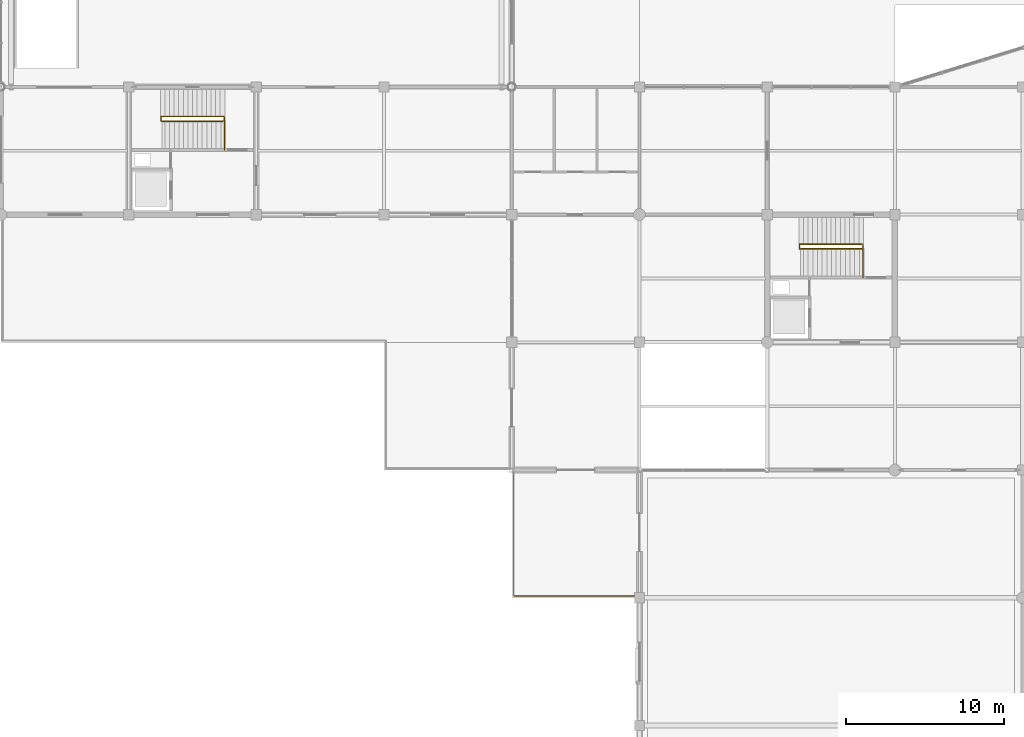
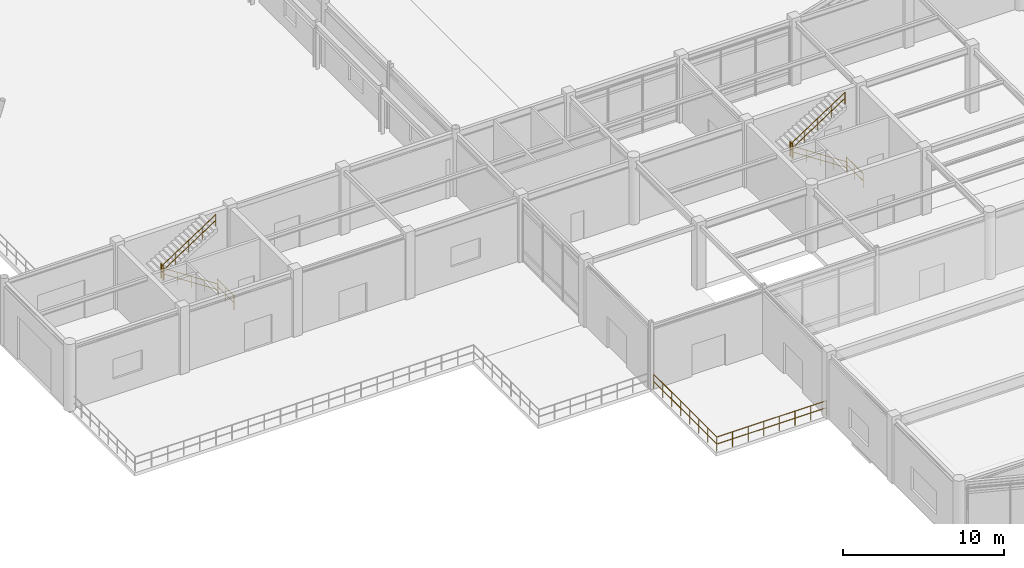
# One storey, part 87 of 99: 9 railings.
"""IFC4 building model written with IfcOpenShell, lengths in metres."""

from ifc_helpers import new_model, si_unit, direction, frame, origin, origin_2d, place, context, subcontext, project, spatial, circle, extrude, material, type_object, element, save


model = new_model("IFC4")

# Units and contexts
model_context = context("Model", 3, precision=1e-05, world=origin(), true_north=direction((0.0, 1.0)))
body_context = subcontext(model_context, "Body", "Model", "MODEL_VIEW")
ifc_project = project(units=[si_unit("LENGTHUNIT", "METRE"), si_unit("AREAUNIT", "SQUARE_METRE"), si_unit("VOLUMEUNIT", "CUBIC_METRE"), si_unit("PLANEANGLEUNIT", "RADIAN"), si_unit("MASSUNIT", "GRAM", prefix="KILO")], contexts=[model_context])

# Site, building, storey
site_placement = place(None, origin())
site = spatial("IfcSite", under=ifc_project, at=site_placement, CompositionType="ELEMENT")
building_placement = place(site_placement, origin())
building = spatial("IfcBuilding", under=site, at=building_placement, Name="Vaudrelin Polytechnic", CompositionType="ELEMENT")
storey_placement = place(building_placement, origin())
storey = spatial("IfcBuildingStorey", under=building, at=storey_placement, Name="L00", CompositionType="ELEMENT", Elevation=0.0)

# Railings
ifc_material_1 = material(Name="Stainless steel AISI 316L", Category="steel")
railing_type_1 = type_object("IfcRailingType", Name="ENV-GR-TER", PredefinedType="GUARDRAIL", material=ifc_material_1)
railing_1_placement = place(storey_placement, frame((32.52001953125, 24.179931640625, 0.0)))
element("IfcRailing", 1, at=railing_1_placement, inside=storey, type_object=railing_type_1, Name="Terrace guardrail GRD-APS-S", PredefinedType="GUARDRAIL", context=body_context, shape_type="SweptSolid", body=[
    extrude(circle(Radius=0.02392578125, at=origin_2d()), frame((0.0, -0.023193359375, 1.09619140625), z_axis=(0.0, -1.0, 0.0), x_axis=(1.0, 0.0, 0.0)), (0.0, 0.0, 1.0), 7.813720703125),
    extrude(circle(Radius=0.02392578125, at=origin_2d()), frame((0.0, -0.023193359375, 0.56005859375), z_axis=(0.0, -1.0, 0.0), x_axis=(1.0, 0.0, 0.0)), (0.0, 0.0, 1.0), 7.813720703125),
    extrude(circle(Radius=0.02392578125, at=origin_2d()), frame((0.023193359375, -7.85986328125, 1.09619140625), z_axis=(1.0, 0.0, 0.0), x_axis=(0.0, 1.0, 0.0)), (0.0, 0.0, 1.0), 7.813720703125),
    extrude(circle(Radius=0.02392578125, at=origin_2d()), frame((0.023193359375, -7.85986328125, 0.56005859375), z_axis=(1.0, 0.0, 0.0), x_axis=(0.0, 1.0, 0.0)), (0.0, 0.0, 1.0), 7.813720703125),
    extrude(circle(Radius=0.02099609375, at=origin_2d()), origin(), (0.0, 0.0, 1.0), 1.1201171875),
    extrude(circle(Radius=0.02099609375, at=origin_2d()), frame((0.0, -1.122802734375, 0.0)), (0.0, 0.0, 1.0), 1.1201171875),
    extrude(circle(Radius=0.02099609375, at=origin_2d()), frame((0.0, -2.24560546875, 0.0)), (0.0, 0.0, 1.0), 1.1201171875),
    extrude(circle(Radius=0.02099609375, at=origin_2d()), frame((0.0, -3.368408203125, 0.0)), (0.0, 0.0, 1.0), 1.1201171875),
    extrude(circle(Radius=0.02099609375, at=origin_2d()), frame((0.0, -4.491455078125, 0.0)), (0.0, 0.0, 1.0), 1.1201171875),
    extrude(circle(Radius=0.02099609375, at=origin_2d()), frame((0.0, -5.6142578125, 0.0)), (0.0, 0.0, 1.0), 1.1201171875),
    extrude(circle(Radius=0.02099609375, at=origin_2d()), frame((0.0, -6.737060546875, 0.0)), (0.0, 0.0, 1.0), 1.1201171875),
    extrude(circle(Radius=0.02099609375, at=origin_2d()), frame((0.0, -7.85986328125, 0.0)), (0.0, 0.0, 1.0), 1.1201171875),
    extrude(circle(Radius=0.02099609375, at=origin_2d()), frame((1.122802734375, -7.85986328125, 0.0)), (0.0, 0.0, 1.0), 1.1201171875),
    extrude(circle(Radius=0.02099609375, at=origin_2d()), frame((2.24560546875, -7.85986328125, 0.0)), (0.0, 0.0, 1.0), 1.1201171875),
    extrude(circle(Radius=0.02099609375, at=origin_2d()), frame((3.368408203125, -7.85986328125, 0.0)), (0.0, 0.0, 1.0), 1.1201171875),
    extrude(circle(Radius=0.02099609375, at=origin_2d()), frame((4.491455078125, -7.85986328125, 0.0)), (0.0, 0.0, 1.0), 1.1201171875),
    extrude(circle(Radius=0.02099609375, at=origin_2d()), frame((5.6142578125, -7.85986328125, 0.0)), (0.0, 0.0, 1.0), 1.1201171875),
    extrude(circle(Radius=0.02099609375, at=origin_2d()), frame((6.737060546875, -7.85986328125, 0.0)), (0.0, 0.0, 1.0), 1.1201171875),
    extrude(circle(Radius=0.02099609375, at=origin_2d()), frame((7.85986328125, -7.85986328125, 0.0)), (0.0, 0.0, 1.0), 1.1201171875),
])
ifc_material_2 = material(Name="Brushed stainless steel AISI 304", Category="steel")
railing_type_2 = type_object("IfcRailingType", Name="RAL-GR-INT", PredefinedType="GUARDRAIL", material=ifc_material_2)
railing_2_placement = place(storey_placement, frame((14.179931640625, 44.610107421875, 0.0)))
element("IfcRailing", 2, at=railing_2_placement, inside=storey, type_object=railing_type_2, Name="ST-03-B1 upper well guardrail", PredefinedType="GUARDRAIL", context=body_context, shape_type="SweptSolid", body=[
    extrude(circle(Radius=0.02392578125, at=origin_2d()), frame((0.0, 0.023193359375, 1.09619140625), z_axis=(0.0, 1.0, 0.0), x_axis=(-1.0, 0.0, 0.0)), (0.0, 0.0, 1.0), 2.023681640625),
    extrude(circle(Radius=0.02392578125, at=origin_2d()), frame((0.0, 0.023193359375, 0.56005859375), z_axis=(0.0, 1.0, 0.0), x_axis=(-1.0, 0.0, 0.0)), (0.0, 0.0, 1.0), 2.023681640625),
    extrude(circle(Radius=0.02099609375, at=origin_2d()), origin(), (0.0, 0.0, 1.0), 1.1201171875),
    extrude(circle(Radius=0.02099609375, at=origin_2d()), frame((0.0, 1.034912109375, 0.0)), (0.0, 0.0, 1.0), 1.1201171875),
    extrude(circle(Radius=0.02099609375, at=origin_2d()), frame((0.0, 2.06982421875, 0.0)), (0.0, 0.0, 1.0), 1.1201171875),
])
railing_3_placement = place(storey_placement, frame((10.14990234375, 46.43994140625, 2.550048828125)))
element("IfcRailing", 3, at=railing_3_placement, inside=storey, type_object=railing_type_2, Name="ST-03-L00 landing well guardrail", PredefinedType="GUARDRAIL", context=body_context, shape_type="SweptSolid", body=[
    extrude(circle(Radius=0.02392578125, at=origin_2d()), frame((0.0, 0.023193359375, 1.09619140625), z_axis=(0.0, 1.0, 0.0), x_axis=(-1.0, 0.0, 0.0)), (0.0, 0.0, 1.0), 0.23388671875),
    extrude(circle(Radius=0.02392578125, at=origin_2d()), frame((0.0, 0.023193359375, 0.56005859375), z_axis=(0.0, 1.0, 0.0), x_axis=(-1.0, 0.0, 0.0)), (0.0, 0.0, 1.0), 0.23388671875),
    extrude(circle(Radius=0.02099609375, at=origin_2d()), origin(), (0.0, 0.0, 1.0), 1.1201171875),
    extrude(circle(Radius=0.02099609375, at=origin_2d()), frame((0.0, 0.280029296875, 0.0)), (0.0, 0.0, 1.0), 1.1201171875),
])
railing_4_placement = place(storey_placement, frame((54.679931640625, 36.510009765625, 0.0)))
element("IfcRailing", 4, at=railing_4_placement, inside=storey, type_object=railing_type_2, Name="ST-04-B1 upper well guardrail", PredefinedType="GUARDRAIL", context=body_context, shape_type="SweptSolid", body=[
    extrude(circle(Radius=0.02392578125, at=origin_2d()), frame((0.0, 0.023193359375, 1.09619140625), z_axis=(0.0, 1.0, 0.0), x_axis=(-1.0, 0.0, 0.0)), (0.0, 0.0, 1.0), 2.02392578125),
    extrude(circle(Radius=0.02392578125, at=origin_2d()), frame((0.0, 0.023193359375, 0.56005859375), z_axis=(0.0, 1.0, 0.0), x_axis=(-1.0, 0.0, 0.0)), (0.0, 0.0, 1.0), 2.02392578125),
    extrude(circle(Radius=0.02099609375, at=origin_2d()), origin(), (0.0, 0.0, 1.0), 1.1201171875),
    extrude(circle(Radius=0.02099609375, at=origin_2d()), frame((0.0, 1.03515625, 0.0)), (0.0, 0.0, 1.0), 1.1201171875),
    extrude(circle(Radius=0.02099609375, at=origin_2d()), frame((0.0, 2.070068359375, 0.0)), (0.0, 0.0, 1.0), 1.1201171875),
])
railing_5_placement = place(storey_placement, frame((50.64990234375, 38.340087890625, 2.550048828125)))
element("IfcRailing", 5, at=railing_5_placement, inside=storey, type_object=railing_type_2, Name="ST-04-L00 landing well guardrail", PredefinedType="GUARDRAIL", context=body_context, shape_type="SweptSolid", body=[
    extrude(circle(Radius=0.02392578125, at=origin_2d()), frame((0.0, 0.023193359375, 1.09619140625), z_axis=(0.0, 1.0, 0.0), x_axis=(-1.0, 0.0, 0.0)), (0.0, 0.0, 1.0), 0.23388671875),
    extrude(circle(Radius=0.02392578125, at=origin_2d()), frame((0.0, 0.023193359375, 0.56005859375), z_axis=(0.0, 1.0, 0.0), x_axis=(-1.0, 0.0, 0.0)), (0.0, 0.0, 1.0), 0.23388671875),
    extrude(circle(Radius=0.02099609375, at=origin_2d()), origin(), (0.0, 0.0, 1.0), 1.1201171875),
    extrude(circle(Radius=0.02099609375, at=origin_2d()), frame((0.0, 0.280029296875, 0.0)), (0.0, 0.0, 1.0), 1.1201171875),
])
railing_type_3 = type_object("IfcRailingType", Name="RAL-HR-STR", PredefinedType="HANDRAIL", material=ifc_material_2)
railing_6_placement = place(storey_placement, frame((14.10009765625, 46.429931640625, 0.0)))
element("IfcRailing", 6, at=railing_6_placement, inside=storey, type_object=railing_type_3, Name="ST-03-L00 flight 1 handrail", PredefinedType="HANDRAIL", context=body_context, shape_type="SweptSolid", body=[
    extrude(circle(Radius=0.02392578125, at=origin_2d()), frame((-0.019287109375, 0.0, 0.908447265625), z_axis=(-0.836329188974, 0.0, 0.548227587476), x_axis=(0.0, -1.0, 0.0)), (0.0, 0.0, 1.0), 4.605224609375),
    extrude(circle(Radius=0.02392578125, at=origin_2d()), frame((-0.019287109375, 0.0, 0.47265625), z_axis=(-0.836329188974, 0.0, 0.548227587476), x_axis=(0.0, -1.0, 0.0)), (0.0, 0.0, 1.0), 4.605224609375),
    extrude(circle(Radius=0.02099609375, at=origin_2d()), origin(), (0.0, 0.0, 1.0), 0.919921875),
    extrude(circle(Radius=0.02099609375, at=origin_2d()), frame((-0.97265625, 0.0, 0.637451171875)), (0.0, 0.0, 1.0), 0.919921875),
    extrude(circle(Radius=0.02099609375, at=origin_2d()), frame((-1.945068359375, 0.0, 1.27490234375)), (0.0, 0.0, 1.0), 0.919921875),
    extrude(circle(Radius=0.02099609375, at=origin_2d()), frame((-2.91748046875, 0.0, 1.91259765625)), (0.0, 0.0, 1.0), 0.919921875),
    extrude(circle(Radius=0.02099609375, at=origin_2d()), frame((-3.89013671875, 0.0, 2.550048828125)), (0.0, 0.0, 1.0), 0.919921875),
])
railing_7_placement = place(storey_placement, frame((10.2099609375, 46.72998046875, 2.550048828125)))
element("IfcRailing", 7, at=railing_7_placement, inside=storey, type_object=railing_type_3, Name="ST-03-L00 flight 2 handrail", PredefinedType="HANDRAIL", context=body_context, shape_type="SweptSolid", body=[
    extrude(circle(Radius=0.02392578125, at=origin_2d()), frame((0.019287109375, 0.0, 0.908447265625), z_axis=(0.836329188974, 0.0, 0.548227587476), x_axis=(0.0, 1.0, 0.0)), (0.0, 0.0, 1.0), 4.605224609375),
    extrude(circle(Radius=0.02392578125, at=origin_2d()), frame((0.019287109375, 0.0, 0.47265625), z_axis=(0.836329188974, 0.0, 0.548227587476), x_axis=(0.0, 1.0, 0.0)), (0.0, 0.0, 1.0), 4.605224609375),
    extrude(circle(Radius=0.02099609375, at=origin_2d()), origin(), (0.0, 0.0, 1.0), 0.919921875),
    extrude(circle(Radius=0.02099609375, at=origin_2d()), frame((0.97265625, 0.0, 0.637451171875)), (0.0, 0.0, 1.0), 0.919921875),
    extrude(circle(Radius=0.02099609375, at=origin_2d()), frame((1.945068359375, 0.0, 1.27490234375)), (0.0, 0.0, 1.0), 0.919921875),
    extrude(circle(Radius=0.02099609375, at=origin_2d()), frame((2.91748046875, 0.0, 1.91259765625)), (0.0, 0.0, 1.0), 0.919921875),
    extrude(circle(Radius=0.02099609375, at=origin_2d()), frame((3.89013671875, 0.0, 2.550048828125)), (0.0, 0.0, 1.0), 0.919921875),
])
railing_8_placement = place(storey_placement, frame((54.60009765625, 38.330078125, 0.0)))
element("IfcRailing", 8, at=railing_8_placement, inside=storey, type_object=railing_type_3, Name="ST-04-L00 flight 1 handrail", PredefinedType="HANDRAIL", context=body_context, shape_type="SweptSolid", body=[
    extrude(circle(Radius=0.02392578125, at=origin_2d()), frame((-0.019287109375, 0.0, 0.908447265625), z_axis=(-0.836329188974, 0.0, 0.548227587476), x_axis=(0.0, -1.0, 0.0)), (0.0, 0.0, 1.0), 4.605224609375),
    extrude(circle(Radius=0.02392578125, at=origin_2d()), frame((-0.019287109375, 0.0, 0.47265625), z_axis=(-0.836329188974, 0.0, 0.548227587476), x_axis=(0.0, -1.0, 0.0)), (0.0, 0.0, 1.0), 4.605224609375),
    extrude(circle(Radius=0.02099609375, at=origin_2d()), origin(), (0.0, 0.0, 1.0), 0.919921875),
    extrude(circle(Radius=0.02099609375, at=origin_2d()), frame((-0.97265625, 0.0, 0.637451171875)), (0.0, 0.0, 1.0), 0.919921875),
    extrude(circle(Radius=0.02099609375, at=origin_2d()), frame((-1.945068359375, 0.0, 1.27490234375)), (0.0, 0.0, 1.0), 0.919921875),
    extrude(circle(Radius=0.02099609375, at=origin_2d()), frame((-2.91748046875, 0.0, 1.91259765625)), (0.0, 0.0, 1.0), 0.919921875),
    extrude(circle(Radius=0.02099609375, at=origin_2d()), frame((-3.89013671875, 0.0, 2.550048828125)), (0.0, 0.0, 1.0), 0.919921875),
])
railing_9_placement = place(storey_placement, frame((50.7099609375, 38.6298828125, 2.550048828125)))
element("IfcRailing", 9, at=railing_9_placement, inside=storey, type_object=railing_type_3, Name="ST-04-L00 flight 2 handrail", PredefinedType="HANDRAIL", context=body_context, shape_type="SweptSolid", body=[
    extrude(circle(Radius=0.02392578125, at=origin_2d()), frame((0.019287109375, 0.0, 0.908447265625), z_axis=(0.836329188974, 0.0, 0.548227587476), x_axis=(0.0, 1.0, 0.0)), (0.0, 0.0, 1.0), 4.605224609375),
    extrude(circle(Radius=0.02392578125, at=origin_2d()), frame((0.019287109375, 0.0, 0.47265625), z_axis=(0.836329188974, 0.0, 0.548227587476), x_axis=(0.0, 1.0, 0.0)), (0.0, 0.0, 1.0), 4.605224609375),
    extrude(circle(Radius=0.02099609375, at=origin_2d()), origin(), (0.0, 0.0, 1.0), 0.919921875),
    extrude(circle(Radius=0.02099609375, at=origin_2d()), frame((0.97265625, 0.0, 0.637451171875)), (0.0, 0.0, 1.0), 0.919921875),
    extrude(circle(Radius=0.02099609375, at=origin_2d()), frame((1.945068359375, 0.0, 1.27490234375)), (0.0, 0.0, 1.0), 0.919921875),
    extrude(circle(Radius=0.02099609375, at=origin_2d()), frame((2.91748046875, 0.0, 1.91259765625)), (0.0, 0.0, 1.0), 0.919921875),
    extrude(circle(Radius=0.02099609375, at=origin_2d()), frame((3.89013671875, 0.0, 2.550048828125)), (0.0, 0.0, 1.0), 0.919921875),
])

save(model, "model.ifc")
